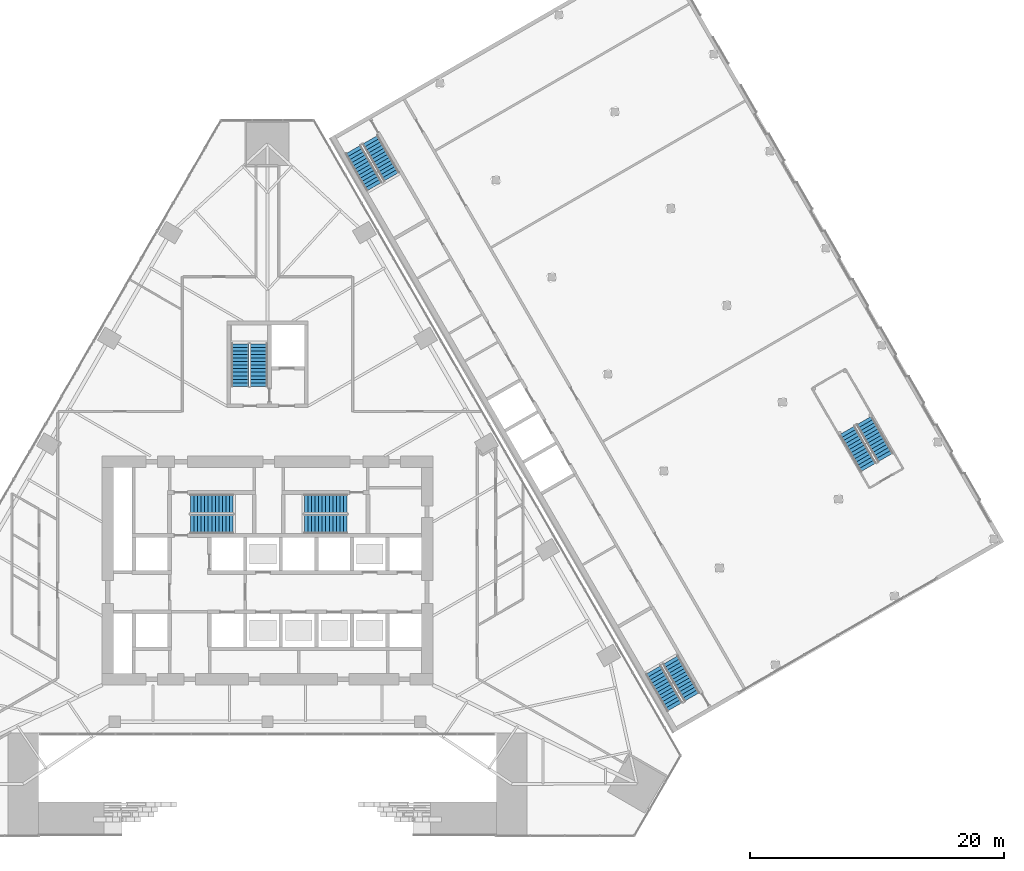
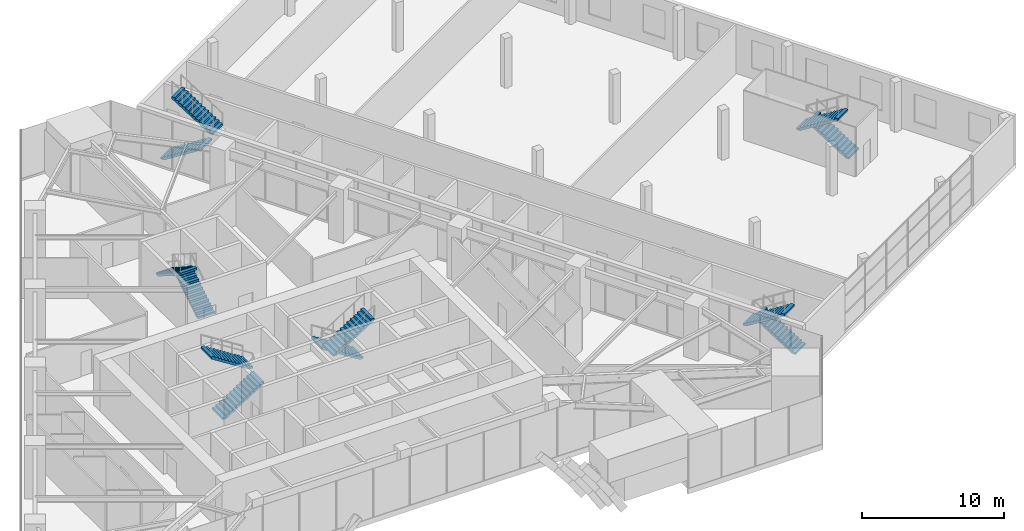
# One storey, part 22 of 29: 12 stair flights, 6 elements without a shape of their own.
"""IFC4 building model written with IfcOpenShell, lengths in metres."""

import ifcopenshell
import ifcopenshell.guid

model = None  # the IFC model being written
_history = None  # IfcOwnerHistory: only IFC2X3 demands one
_inside = {}  # id of a spatial element -> (the spatial element, [elements in it])
_under = {}  # id of a project, library or spatial element -> (it, [spatial elements below it])
_declared = {}  # id of a project -> (the project, [libraries it declares])
_typed = {}  # id of a type object -> (the type object, [elements of that type])
_made_of = {}  # id of a material, layer set ... -> (it, [elements and type objects made of it])


def new_model(schema):
    """Start an empty IFC model of exactly this schema.

    Asked for "IFC4X3", IfcOpenShell would pick the latest addendum, in which some entities
    have other attributes; the version numbers below select the first issue.
    IFC2X3 requires an IfcOwnerHistory on every rooted entity: one is made here for all.
    """
    global model, _history
    if schema == "IFC4X3":
        model = ifcopenshell.file(schema_version=(4, 3, 0, 0))
    else:
        model = ifcopenshell.file(schema=schema)
    _inside.clear()
    _under.clear()
    _declared.clear()
    _typed.clear()
    _made_of.clear()
    _history = None
    if model.schema == "IFC2X3":
        org = make("IfcOrganization", Name="unknown")
        user = make(
            "IfcPersonAndOrganization",
            ThePerson=make("IfcPerson", FamilyName="unknown"),
            TheOrganization=org,
        )
        app = make(
            "IfcApplication",
            ApplicationDeveloper=org,
            Version="unknown",
            ApplicationFullName="unknown",
            ApplicationIdentifier="unknown",
        )
        _history = make(
            "IfcOwnerHistory",
            OwningUser=user,
            OwningApplication=app,
            ChangeAction="ADDED",
            CreationDate=0,
        )
    return model


def make(cls, **values):
    """One entity of the class cls with the attributes given. An attribute that is None is left unset."""
    return model.create_entity(
        cls, **{name: value for name, value in values.items() if value is not None}
    )


def rooted(cls, **values):
    """An entity with a GlobalId (a new one), such as an element, a storey or a relation."""
    return make(cls, GlobalId=ifcopenshell.guid.new(), OwnerHistory=_history, **values)


def si_unit(unit_type, name, prefix=None):
    """IfcSIUnit, for example si_unit("LENGTHUNIT", "METRE", prefix="MILLI")."""
    return make("IfcSIUnit", UnitType=unit_type, Prefix=prefix, Name=name)


def assignment(units):
    """IfcUnitAssignment: the units of a project."""
    return None if units is None else make("IfcUnitAssignment", Units=units)


def point(xyz):
    """IfcCartesianPoint."""
    return None if xyz is None else make("IfcCartesianPoint", Coordinates=xyz)


def direction(xyz):
    """IfcDirection."""
    return None if xyz is None else make("IfcDirection", DirectionRatios=xyz)


def frame(location, z_axis=None, x_axis=None):
    """IfcAxis2Placement3D, a coordinate frame: its origin and axes. An axis left out is left unset."""
    return make(
        "IfcAxis2Placement3D",
        Location=point(location),
        Axis=direction(z_axis),
        RefDirection=direction(x_axis),
    )


def origin():
    """The frame at (0, 0, 0) with its axes left unset."""
    return frame((0.0, 0.0, 0.0))


def place(relative_to, where):
    """IfcLocalPlacement: puts the frame where relative to a parent placement (None: the world)."""
    return make(
        "IfcLocalPlacement", PlacementRelTo=relative_to, RelativePlacement=where
    )


def context(
    kind, dimensions, precision=None, world=None, true_north=None, identifier=None
):
    """IfcGeometricRepresentationContext, for example the 3D "Model" context."""
    return make(
        "IfcGeometricRepresentationContext",
        ContextIdentifier=identifier,
        ContextType=kind,
        CoordinateSpaceDimension=dimensions,
        Precision=precision,
        WorldCoordinateSystem=world,
        TrueNorth=true_north,
    )


def subcontext(parent, identifier, kind, view, scale=None):
    """IfcGeometricRepresentationSubContext, for example "Body" below "Model"."""
    return make(
        "IfcGeometricRepresentationSubContext",
        ContextIdentifier=identifier,
        ContextType=kind,
        ParentContext=parent,
        TargetScale=scale,
        TargetView=view,
    )


def project(units=None, contexts=None):
    """IfcProject with its units and contexts."""
    return rooted(
        "IfcProject",
        Name="project",
        RepresentationContexts=contexts,
        UnitsInContext=assignment(units),
    )


def spatial(cls, under=None, at=None, **own):
    """A site, building, storey or space (cls), placed at a placement, below another one or the project."""
    s = rooted(cls, ObjectPlacement=at, **own)
    if under is not None:
        _under.setdefault(under.id(), (under, []))[1].append(s)
    return s


def polyline(points):
    """IfcPolyline through the points."""
    return make("IfcPolyline", Points=[point(p) for p in points])


def outline(outer, holes=None, kind="AREA"):
    """IfcArbitraryClosedProfileDef: a profile drawn as a closed curve; with holes, ...WithVoids."""
    if holes is None:
        return make("IfcArbitraryClosedProfileDef", ProfileType=kind, OuterCurve=outer)
    return make(
        "IfcArbitraryProfileDefWithVoids",
        ProfileType=kind,
        OuterCurve=outer,
        InnerCurves=holes,
    )


def extrude(swept, where, along, depth):
    """IfcExtrudedAreaSolid: the profile swept, set in the frame where, extruded along a direction by depth."""
    return make(
        "IfcExtrudedAreaSolid",
        SweptArea=swept,
        Position=where,
        ExtrudedDirection=direction(along),
        Depth=depth,
    )


def shape(context_of_items, identifier, shape_type, items):
    """IfcShapeRepresentation: the items that make up one representation, for example the "Body"."""
    return make(
        "IfcShapeRepresentation",
        ContextOfItems=context_of_items,
        RepresentationIdentifier=identifier,
        RepresentationType=shape_type,
        Items=items,
    )


def material(Name=None, Category=None):
    """IfcMaterial."""
    return make("IfcMaterial", Name=Name, Category=Category)


def made_of(thing, what):
    """Note that an element or type object is made of a material, layer set ...; save() writes the relation."""
    if what is not None:
        _made_of.setdefault(what.id(), (what, []))[1].append(thing)
    return thing


def type_object(cls, material=None, **own):
    """A type object (cls), such as IfcWallType, which elements share."""
    return made_of(rooted(cls, **own), material)


def element(
    cls,
    number,
    at=None,
    inside=None,
    cuts=None,
    type_object=None,
    material=None,
    context=None,
    identifier="Body",
    shape_type=None,
    held_by="IfcProductDefinitionShape",
    body=None,
    shapes=None,
    **own,
):
    """One element of the class cls, such as IfcWall. Its Tag is "e" and its number.

    at: its placement. inside: the storey or other place that contains it. cuts: it is an
    opening in that element (IfcRelVoidsElement). A single representation is given by context,
    identifier, shape_type and body (its items); several are given by shapes. held_by: the class
    of the entity that holds the representations. save() writes the other relations.
    """
    e = rooted(cls, Tag="e%d" % number, ObjectPlacement=at, **own)
    if body is not None:
        shapes = [shape(context, identifier, shape_type, body)]
    if shapes is not None:
        e.Representation = make(held_by, Representations=shapes)
    if inside is not None:
        _inside.setdefault(inside.id(), (inside, []))[1].append(e)
    if cuts is not None:
        rooted(
            "IfcRelVoidsElement", RelatingBuildingElement=cuts, RelatedOpeningElement=e
        )
    if type_object is not None:
        _typed.setdefault(type_object.id(), (type_object, []))[1].append(e)
    return made_of(e, material)


def aggregate(whole, parts):
    """IfcRelAggregates: a whole, such as a stair, and the parts it consists of."""
    return rooted("IfcRelAggregates", RelatingObject=whole, RelatedObjects=parts)


def save(model, path):
    """Write the relations noted so far, then the file.

    IfcRelAggregates (storeys below a building ...), IfcRelContainedInSpatialStructure (elements
    in a storey), IfcRelDefinesByType, IfcRelAssociatesMaterial and IfcRelDeclares: one each for
    every whole, place, type object, material and project.
    """
    for whole, parts in _under.values():
        aggregate(whole, parts)
    for where, things in _inside.values():
        rooted(
            "IfcRelContainedInSpatialStructure",
            RelatedElements=things,
            RelatingStructure=where,
        )
    for kind, things in _typed.values():
        rooted("IfcRelDefinesByType", RelatedObjects=things, RelatingType=kind)
    for what, things in _made_of.values():
        rooted("IfcRelAssociatesMaterial", RelatedObjects=things, RelatingMaterial=what)
    for by, libraries in _declared.values():
        rooted("IfcRelDeclares", RelatingContext=by, RelatedDefinitions=libraries)
    model.write(path)


model = new_model("IFC4")

# Units and contexts
model_context = context("Model", 3, precision=1e-05, world=origin(), true_north=direction((0.0, 1.0)))
body_context = subcontext(model_context, "Body", "Model", "MODEL_VIEW")
ifc_project = project(units=[si_unit("LENGTHUNIT", "METRE"), si_unit("AREAUNIT", "SQUARE_METRE"), si_unit("VOLUMEUNIT", "CUBIC_METRE"), si_unit("PLANEANGLEUNIT", "RADIAN"), si_unit("MASSUNIT", "GRAM", prefix="KILO")], contexts=[model_context])

# Site, building, storey
site_placement = place(None, origin())
site = spatial("IfcSite", under=ifc_project, at=site_placement, CompositionType="ELEMENT")
building_placement = place(site_placement, origin())
building = spatial("IfcBuilding", under=site, at=building_placement, Name="Firuza Gate Tower and Library", CompositionType="ELEMENT")
storey_placement = place(building_placement, frame((0.0, 0.0, 17.199951171875)))
storey = spatial("IfcBuildingStorey", under=building, at=storey_placement, Name="L03", CompositionType="ELEMENT", Elevation=17.199951171875)

# Stair, stair flights
ifc_material_1 = material(Name="Concrete C40/50", Category="concrete")
stair_type_1 = type_object("IfcStairType", Name="LIB STAIR", PredefinedType="HALF_TURN_STAIR", material=ifc_material_1)
placement = place(storey_placement, origin())
stair_1 = element("IfcStair", 1, at=placement, inside=storey, type_object=stair_type_1, Name="L03 Exit stair A", PredefinedType="HALF_TURN_STAIR")
ifc_material_2 = material(Name="Concrete C40/50", Category="concrete")
stair_flight_type_1 = type_object("IfcStairFlightType", Name="LIB STAIR FLIGHT", PredefinedType="STRAIGHT", material=ifc_material_2)
stair_flight_1_placement = place(storey_placement, frame((81.735595703125, 108.102783203125, 0.0), z_axis=(0.0, 0.0, 1.0), x_axis=(0.5, -0.866025403784, 0.0)))
stair_flight_1 = element("IfcStairFlight", 2, at=stair_flight_1_placement, type_object=stair_flight_type_1, Name="LIB-ST-A flight 1", NumberOfRisers=13, NumberOfTreads=12, PredefinedType="STRAIGHT", RiserHeight=0.176923077, TreadLength=0.28, context=body_context, shape_type="SweptSolid", body=[
    extrude(outline(polyline([(0.0, 0.0), (0.0, 0.177001953125), (0.280029296875, 0.177001953125), (0.280029296875, 0.353759765625), (0.56005859375, 0.353759765625), (0.56005859375, 0.53076171875), (0.840087890625, 0.53076171875), (0.840087890625, 0.707763671875), (1.1201171875, 0.707763671875), (1.1201171875, 0.884521484375), (1.39990234375, 0.884521484375), (1.39990234375, 1.0615234375), (1.679931640625, 1.0615234375), (1.679931640625, 1.238525390625), (1.9599609375, 1.238525390625), (1.9599609375, 1.415283203125), (2.239990234375, 1.415283203125), (2.239990234375, 1.59228515625), (2.52001953125, 1.59228515625), (2.52001953125, 1.769287109375), (2.800048828125, 1.769287109375), (2.800048828125, 1.946044921875), (3.080078125, 1.946044921875), (3.080078125, 2.123046875), (3.360107421875, 2.123046875), (3.360107421875, 2.300048828125), (3.360107421875, 1.94580078125), (0.280517578125, 0.0), (0.0, 0.0)])), frame((0.0, 0.699951171875, 0.0), z_axis=(0.0, -1.0, 0.0), x_axis=(1.0, 0.0, 0.0)), (0.0, 0.0, 1.0), 1.39990234375),
])
stair_flight_2_placement = place(storey_placement, frame((84.758056640625, 105.968017578125, 2.300048828125), z_axis=(0.0, 0.0, 1.0), x_axis=(-0.5, 0.866025403784, 0.0)))
stair_flight_2 = element("IfcStairFlight", 3, at=stair_flight_2_placement, type_object=stair_flight_type_1, Name="LIB-ST-A flight 2", NumberOfRisers=13, NumberOfTreads=12, PredefinedType="STRAIGHT", RiserHeight=0.176923077, TreadLength=0.28, context=body_context, shape_type="SweptSolid", body=[
    extrude(outline(polyline([(0.0, 0.0), (0.0, 0.177001953125), (0.280029296875, 0.177001953125), (0.280029296875, 0.353759765625), (0.56005859375, 0.353759765625), (0.56005859375, 0.53076171875), (0.840087890625, 0.53076171875), (0.840087890625, 0.707763671875), (1.1201171875, 0.707763671875), (1.1201171875, 0.884521484375), (1.39990234375, 0.884521484375), (1.39990234375, 1.0615234375), (1.679931640625, 1.0615234375), (1.679931640625, 1.238525390625), (1.9599609375, 1.238525390625), (1.9599609375, 1.415283203125), (2.239990234375, 1.415283203125), (2.239990234375, 1.59228515625), (2.52001953125, 1.59228515625), (2.52001953125, 1.769287109375), (2.800048828125, 1.769287109375), (2.800048828125, 1.946044921875), (3.080078125, 1.946044921875), (3.080078125, 2.123046875), (3.360107421875, 2.123046875), (3.360107421875, 2.300048828125), (3.360107421875, 1.94580078125), (0.280517578125, 0.0), (0.0, 0.0)])), frame((0.0, 0.699951171875, 0.0), z_axis=(0.0, -1.0, 0.0), x_axis=(1.0, 0.0, 0.0)), (0.0, 0.0, 1.0), 1.39990234375),
])
aggregate(stair_1, [stair_flight_1, stair_flight_2])

stair_2 = element("IfcStair", 4, at=placement, inside=storey, type_object=stair_type_1, Name="L03 Exit stair B", PredefinedType="HALF_TURN_STAIR")
stair_flight_3_placement = place(storey_placement, frame((108.3779296875, 65.056884765625, 0.0), z_axis=(0.0, 0.0, 1.0), x_axis=(-0.5, 0.866025403784, 0.0)))
stair_flight_3 = element("IfcStairFlight", 5, at=stair_flight_3_placement, type_object=stair_flight_type_1, Name="LIB-ST-B flight 1", NumberOfRisers=13, NumberOfTreads=12, PredefinedType="STRAIGHT", RiserHeight=0.176923077, TreadLength=0.28, context=body_context, shape_type="SweptSolid", body=[
    extrude(outline(polyline([(0.0, 0.0), (0.0, 0.177001953125), (0.280029296875, 0.177001953125), (0.280029296875, 0.353759765625), (0.56005859375, 0.353759765625), (0.56005859375, 0.53076171875), (0.840087890625, 0.53076171875), (0.840087890625, 0.707763671875), (1.1201171875, 0.707763671875), (1.1201171875, 0.884521484375), (1.39990234375, 0.884521484375), (1.39990234375, 1.0615234375), (1.679931640625, 1.0615234375), (1.679931640625, 1.238525390625), (1.9599609375, 1.238525390625), (1.9599609375, 1.415283203125), (2.239990234375, 1.415283203125), (2.239990234375, 1.59228515625), (2.52001953125, 1.59228515625), (2.52001953125, 1.769287109375), (2.800048828125, 1.769287109375), (2.800048828125, 1.946044921875), (3.080078125, 1.946044921875), (3.080078125, 2.123046875), (3.360107421875, 2.123046875), (3.360107421875, 2.300048828125), (3.360107421875, 1.94580078125), (0.280517578125, 0.0), (0.0, 0.0)])), frame((0.0, 0.699951171875, 0.0), z_axis=(0.0, -1.0, 0.0), x_axis=(1.0, 0.0, 0.0)), (0.0, 0.0, 1.0), 1.39990234375),
])
stair_flight_4_placement = place(storey_placement, frame((105.355712890625, 67.191650390625, 2.300048828125), z_axis=(0.0, 0.0, 1.0), x_axis=(0.5, -0.866025403784, 0.0)))
stair_flight_4 = element("IfcStairFlight", 6, at=stair_flight_4_placement, type_object=stair_flight_type_1, Name="LIB-ST-B flight 2", NumberOfRisers=13, NumberOfTreads=12, PredefinedType="STRAIGHT", RiserHeight=0.176923077, TreadLength=0.28, context=body_context, shape_type="SweptSolid", body=[
    extrude(outline(polyline([(0.0, 0.0), (0.0, 0.177001953125), (0.280029296875, 0.177001953125), (0.280029296875, 0.353759765625), (0.56005859375, 0.353759765625), (0.56005859375, 0.53076171875), (0.840087890625, 0.53076171875), (0.840087890625, 0.707763671875), (1.1201171875, 0.707763671875), (1.1201171875, 0.884521484375), (1.39990234375, 0.884521484375), (1.39990234375, 1.0615234375), (1.679931640625, 1.0615234375), (1.679931640625, 1.238525390625), (1.9599609375, 1.238525390625), (1.9599609375, 1.415283203125), (2.239990234375, 1.415283203125), (2.239990234375, 1.59228515625), (2.52001953125, 1.59228515625), (2.52001953125, 1.769287109375), (2.800048828125, 1.769287109375), (2.800048828125, 1.946044921875), (3.080078125, 1.946044921875), (3.080078125, 2.123046875), (3.360107421875, 2.123046875), (3.360107421875, 2.300048828125), (3.360107421875, 1.94580078125), (0.280517578125, 0.0), (0.0, 0.0)])), frame((0.0, 0.699951171875, 0.0), z_axis=(0.0, -1.0, 0.0), x_axis=(1.0, 0.0, 0.0)), (0.0, 0.0, 1.0), 1.39990234375),
])
aggregate(stair_2, [stair_flight_3, stair_flight_4])

stair_3 = element("IfcStair", 7, at=placement, inside=storey, type_object=stair_type_1, Name="L03 Feature stair", PredefinedType="HALF_TURN_STAIR")
stair_flight_5_placement = place(storey_placement, frame((123.60009765625, 83.891357421875, 0.0), z_axis=(0.0, 0.0, 1.0), x_axis=(-0.5, 0.866025403784, 0.0)))
stair_flight_5 = element("IfcStairFlight", 8, at=stair_flight_5_placement, type_object=stair_flight_type_1, Name="LIB-ST-C flight 1", NumberOfRisers=13, NumberOfTreads=12, PredefinedType="STRAIGHT", RiserHeight=0.176923077, TreadLength=0.28, context=body_context, shape_type="SweptSolid", body=[
    extrude(outline(polyline([(0.0, 0.0), (0.0, 0.177001953125), (0.280029296875, 0.177001953125), (0.280029296875, 0.353759765625), (0.56005859375, 0.353759765625), (0.56005859375, 0.53076171875), (0.840087890625, 0.53076171875), (0.840087890625, 0.707763671875), (1.1201171875, 0.707763671875), (1.1201171875, 0.884521484375), (1.39990234375, 0.884521484375), (1.39990234375, 1.0615234375), (1.679931640625, 1.0615234375), (1.679931640625, 1.238525390625), (1.9599609375, 1.238525390625), (1.9599609375, 1.415283203125), (2.239990234375, 1.415283203125), (2.239990234375, 1.59228515625), (2.52001953125, 1.59228515625), (2.52001953125, 1.769287109375), (2.800048828125, 1.769287109375), (2.800048828125, 1.946044921875), (3.080078125, 1.946044921875), (3.080078125, 2.123046875), (3.360107421875, 2.123046875), (3.360107421875, 2.300048828125), (3.360107421875, 1.94580078125), (0.280517578125, 0.0), (0.0, 0.0)])), frame((0.0, 0.699951171875, 0.0), z_axis=(0.0, -1.0, 0.0), x_axis=(1.0, 0.0, 0.0)), (0.0, 0.0, 1.0), 1.39990234375),
])
stair_flight_6_placement = place(storey_placement, frame((120.577880859375, 86.026123046875, 2.300048828125), z_axis=(0.0, 0.0, 1.0), x_axis=(0.5, -0.866025403784, 0.0)))
stair_flight_6 = element("IfcStairFlight", 9, at=stair_flight_6_placement, type_object=stair_flight_type_1, Name="LIB-ST-C flight 2", NumberOfRisers=13, NumberOfTreads=12, PredefinedType="STRAIGHT", RiserHeight=0.176923077, TreadLength=0.28, context=body_context, shape_type="SweptSolid", body=[
    extrude(outline(polyline([(0.0, 0.0), (0.0, 0.177001953125), (0.280029296875, 0.177001953125), (0.280029296875, 0.353759765625), (0.56005859375, 0.353759765625), (0.56005859375, 0.53076171875), (0.840087890625, 0.53076171875), (0.840087890625, 0.707763671875), (1.1201171875, 0.707763671875), (1.1201171875, 0.884521484375), (1.39990234375, 0.884521484375), (1.39990234375, 1.0615234375), (1.679931640625, 1.0615234375), (1.679931640625, 1.238525390625), (1.9599609375, 1.238525390625), (1.9599609375, 1.415283203125), (2.239990234375, 1.415283203125), (2.239990234375, 1.59228515625), (2.52001953125, 1.59228515625), (2.52001953125, 1.769287109375), (2.800048828125, 1.769287109375), (2.800048828125, 1.946044921875), (3.080078125, 1.946044921875), (3.080078125, 2.123046875), (3.360107421875, 2.123046875), (3.360107421875, 2.300048828125), (3.360107421875, 1.94580078125), (0.280517578125, 0.0), (0.0, 0.0)])), frame((0.0, 0.699951171875, 0.0), z_axis=(0.0, -1.0, 0.0), x_axis=(1.0, 0.0, 0.0)), (0.0, 0.0, 1.0), 1.39990234375),
])
aggregate(stair_3, [stair_flight_5, stair_flight_6])

ifc_material_3 = material(Name="Concrete C35/45", Category="concrete")
stair_type_2 = type_object("IfcStairType", Name="Exit stair ST13", PredefinedType="HALF_TURN_STAIR", material=ifc_material_3)
stair_4 = element("IfcStair", 10, at=placement, inside=storey, type_object=stair_type_2, Name="L03 Stair ST3", PredefinedType="HALF_TURN_STAIR")
ifc_material_4 = material(Name="Concrete C35/45", Category="concrete")
stair_flight_type_2 = type_object("IfcStairFlightType", Name="Stair flight 13 risers 176.9 width 1370", PredefinedType="STRAIGHT", material=ifc_material_4)
stair_flight_7_placement = place(storey_placement, frame((74.31494140625, 89.469970703125, 0.0), z_axis=(0.0, 0.0, 1.0), x_axis=(0.0, 1.0, 0.0)))
stair_flight_7 = element("IfcStairFlight", 11, at=stair_flight_7_placement, type_object=stair_flight_type_2, Name="ST3 flight 1", NumberOfRisers=13, NumberOfTreads=12, PredefinedType="STRAIGHT", RiserHeight=0.176923077, TreadLength=0.28, context=body_context, shape_type="SweptSolid", body=[
    extrude(outline(polyline([(0.0, 0.0), (0.0, 0.177001953125), (0.280029296875, 0.177001953125), (0.280029296875, 0.353759765625), (0.56005859375, 0.353759765625), (0.56005859375, 0.53076171875), (0.840087890625, 0.53076171875), (0.840087890625, 0.707763671875), (1.1201171875, 0.707763671875), (1.1201171875, 0.884521484375), (1.39990234375, 0.884521484375), (1.39990234375, 1.0615234375), (1.679931640625, 1.0615234375), (1.679931640625, 1.238525390625), (1.9599609375, 1.238525390625), (1.9599609375, 1.415283203125), (2.239990234375, 1.415283203125), (2.239990234375, 1.59228515625), (2.52001953125, 1.59228515625), (2.52001953125, 1.769287109375), (2.800048828125, 1.769287109375), (2.800048828125, 1.946044921875), (3.080078125, 1.946044921875), (3.080078125, 2.123046875), (3.360107421875, 2.123046875), (3.360107421875, 2.300048828125), (3.360107421875, 1.94580078125), (0.280517578125, 0.0), (0.0, 0.0)])), frame((0.0, 0.68505859375, 0.0), z_axis=(0.0, -1.0, 0.0), x_axis=(1.0, 0.0, 0.0)), (0.0, 0.0, 1.0), 1.3701171875),
])
stair_flight_8_placement = place(storey_placement, frame((72.844970703125, 92.830078125, 2.300048828125), z_axis=(0.0, 0.0, 1.0), x_axis=(0.0, -1.0, 0.0)))
stair_flight_8 = element("IfcStairFlight", 12, at=stair_flight_8_placement, type_object=stair_flight_type_2, Name="ST3 flight 2", NumberOfRisers=13, NumberOfTreads=12, PredefinedType="STRAIGHT", RiserHeight=0.176923077, TreadLength=0.28, context=body_context, shape_type="SweptSolid", body=[
    extrude(outline(polyline([(0.0, 0.0), (0.0, 0.177001953125), (0.280029296875, 0.177001953125), (0.280029296875, 0.353759765625), (0.56005859375, 0.353759765625), (0.56005859375, 0.53076171875), (0.840087890625, 0.53076171875), (0.840087890625, 0.707763671875), (1.1201171875, 0.707763671875), (1.1201171875, 0.884521484375), (1.39990234375, 0.884521484375), (1.39990234375, 1.0615234375), (1.679931640625, 1.0615234375), (1.679931640625, 1.238525390625), (1.9599609375, 1.238525390625), (1.9599609375, 1.415283203125), (2.239990234375, 1.415283203125), (2.239990234375, 1.59228515625), (2.52001953125, 1.59228515625), (2.52001953125, 1.769287109375), (2.800048828125, 1.769287109375), (2.800048828125, 1.946044921875), (3.080078125, 1.946044921875), (3.080078125, 2.123046875), (3.360107421875, 2.123046875), (3.360107421875, 2.300048828125), (3.360107421875, 1.94580078125), (0.280517578125, 0.0), (0.0, 0.0)])), frame((0.0, 0.68505859375, 0.0), z_axis=(0.0, -1.0, 0.0), x_axis=(1.0, 0.0, 0.0)), (0.0, 0.0, 1.0), 1.3701171875),
])
aggregate(stair_4, [stair_flight_7, stair_flight_8])

ifc_material_5 = material(Name="Concrete C35/45", Category="concrete")
stair_type_3 = type_object("IfcStairType", Name="Exit stair ST4", PredefinedType="HALF_TURN_STAIR", material=ifc_material_5)
stair_5 = element("IfcStair", 13, at=placement, inside=storey, type_object=stair_type_3, Name="L03 Stair ST1", PredefinedType="HALF_TURN_STAIR")
ifc_material_6 = material(Name="Concrete C35/45", Category="concrete")
stair_flight_type_3 = type_object("IfcStairFlightType", Name="Stair flight 13 risers 176.9 width 1490", PredefinedType="STRAIGHT", material=ifc_material_6)
stair_flight_9_placement = place(storey_placement, frame((68.93994140625, 78.64501953125, 0.0), z_axis=(0.0, 0.0, 1.0), x_axis=(1.0, 0.0, 0.0)))
stair_flight_9 = element("IfcStairFlight", 14, at=stair_flight_9_placement, type_object=stair_flight_type_3, Name="ST1 flight 1", NumberOfRisers=13, NumberOfTreads=12, PredefinedType="STRAIGHT", RiserHeight=0.176923077, TreadLength=0.28, context=body_context, shape_type="SweptSolid", body=[
    extrude(outline(polyline([(0.0, 0.0), (0.0, 0.177001953125), (0.280029296875, 0.177001953125), (0.280029296875, 0.353759765625), (0.56005859375, 0.353759765625), (0.56005859375, 0.53076171875), (0.840087890625, 0.53076171875), (0.840087890625, 0.707763671875), (1.1201171875, 0.707763671875), (1.1201171875, 0.884521484375), (1.39990234375, 0.884521484375), (1.39990234375, 1.0615234375), (1.679931640625, 1.0615234375), (1.679931640625, 1.238525390625), (1.9599609375, 1.238525390625), (1.9599609375, 1.415283203125), (2.239990234375, 1.415283203125), (2.239990234375, 1.59228515625), (2.52001953125, 1.59228515625), (2.52001953125, 1.769287109375), (2.800048828125, 1.769287109375), (2.800048828125, 1.946044921875), (3.080078125, 1.946044921875), (3.080078125, 2.123046875), (3.360107421875, 2.123046875), (3.360107421875, 2.300048828125), (3.360107421875, 1.94580078125), (0.280517578125, 0.0), (0.0, 0.0)])), frame((0.0, 0.7451171875, 0.0), z_axis=(0.0, -1.0, 0.0), x_axis=(1.0, 0.0, 0.0)), (0.0, 0.0, 1.0), 1.489990234375),
])
stair_flight_10_placement = place(storey_placement, frame((72.300048828125, 80.235107421875, 2.300048828125), z_axis=(0.0, 0.0, 1.0), x_axis=(-1.0, 0.0, 0.0)))
stair_flight_10 = element("IfcStairFlight", 15, at=stair_flight_10_placement, type_object=stair_flight_type_3, Name="ST1 flight 2", NumberOfRisers=13, NumberOfTreads=12, PredefinedType="STRAIGHT", RiserHeight=0.176923077, TreadLength=0.28, context=body_context, shape_type="SweptSolid", body=[
    extrude(outline(polyline([(0.0, 0.0), (0.0, 0.177001953125), (0.280029296875, 0.177001953125), (0.280029296875, 0.353759765625), (0.56005859375, 0.353759765625), (0.56005859375, 0.53076171875), (0.840087890625, 0.53076171875), (0.840087890625, 0.707763671875), (1.1201171875, 0.707763671875), (1.1201171875, 0.884521484375), (1.39990234375, 0.884521484375), (1.39990234375, 1.0615234375), (1.679931640625, 1.0615234375), (1.679931640625, 1.238525390625), (1.9599609375, 1.238525390625), (1.9599609375, 1.415283203125), (2.239990234375, 1.415283203125), (2.239990234375, 1.59228515625), (2.52001953125, 1.59228515625), (2.52001953125, 1.769287109375), (2.800048828125, 1.769287109375), (2.800048828125, 1.946044921875), (3.080078125, 1.946044921875), (3.080078125, 2.123046875), (3.360107421875, 2.123046875), (3.360107421875, 2.300048828125), (3.360107421875, 1.94580078125), (0.280517578125, 0.0), (0.0, 0.0)])), frame((0.0, 0.7451171875, 0.0), z_axis=(0.0, -1.0, 0.0), x_axis=(1.0, 0.0, 0.0)), (0.0, 0.0, 1.0), 1.489990234375),
])
aggregate(stair_5, [stair_flight_9, stair_flight_10])

stair_6 = element("IfcStair", 16, at=placement, inside=storey, type_object=stair_type_3, Name="L03 Stair ST2", PredefinedType="HALF_TURN_STAIR")
stair_flight_11_placement = place(storey_placement, frame((81.260009765625, 80.235107421875, 0.0), z_axis=(0.0, 0.0, 1.0), x_axis=(-1.0, 0.0, 0.0)))
stair_flight_11 = element("IfcStairFlight", 17, at=stair_flight_11_placement, type_object=stair_flight_type_3, Name="ST2 flight 1", NumberOfRisers=13, NumberOfTreads=12, PredefinedType="STRAIGHT", RiserHeight=0.176923077, TreadLength=0.28, context=body_context, shape_type="SweptSolid", body=[
    extrude(outline(polyline([(0.0, 0.0), (0.0, 0.177001953125), (0.280029296875, 0.177001953125), (0.280029296875, 0.353759765625), (0.56005859375, 0.353759765625), (0.56005859375, 0.53076171875), (0.840087890625, 0.53076171875), (0.840087890625, 0.707763671875), (1.1201171875, 0.707763671875), (1.1201171875, 0.884521484375), (1.39990234375, 0.884521484375), (1.39990234375, 1.0615234375), (1.679931640625, 1.0615234375), (1.679931640625, 1.238525390625), (1.9599609375, 1.238525390625), (1.9599609375, 1.415283203125), (2.239990234375, 1.415283203125), (2.239990234375, 1.59228515625), (2.52001953125, 1.59228515625), (2.52001953125, 1.769287109375), (2.800048828125, 1.769287109375), (2.800048828125, 1.946044921875), (3.080078125, 1.946044921875), (3.080078125, 2.123046875), (3.360107421875, 2.123046875), (3.360107421875, 2.300048828125), (3.360107421875, 1.94580078125), (0.280517578125, 0.0), (0.0, 0.0)])), frame((0.0, 0.7451171875, 0.0), z_axis=(0.0, -1.0, 0.0), x_axis=(1.0, 0.0, 0.0)), (0.0, 0.0, 1.0), 1.489990234375),
])
stair_flight_12_placement = place(storey_placement, frame((77.89990234375, 78.64501953125, 2.300048828125), z_axis=(0.0, 0.0, 1.0), x_axis=(1.0, 0.0, 0.0)))
stair_flight_12 = element("IfcStairFlight", 18, at=stair_flight_12_placement, type_object=stair_flight_type_3, Name="ST2 flight 2", NumberOfRisers=13, NumberOfTreads=12, PredefinedType="STRAIGHT", RiserHeight=0.176923077, TreadLength=0.28, context=body_context, shape_type="SweptSolid", body=[
    extrude(outline(polyline([(0.0, 0.0), (0.0, 0.177001953125), (0.280029296875, 0.177001953125), (0.280029296875, 0.353759765625), (0.56005859375, 0.353759765625), (0.56005859375, 0.53076171875), (0.840087890625, 0.53076171875), (0.840087890625, 0.707763671875), (1.1201171875, 0.707763671875), (1.1201171875, 0.884521484375), (1.39990234375, 0.884521484375), (1.39990234375, 1.0615234375), (1.679931640625, 1.0615234375), (1.679931640625, 1.238525390625), (1.9599609375, 1.238525390625), (1.9599609375, 1.415283203125), (2.239990234375, 1.415283203125), (2.239990234375, 1.59228515625), (2.52001953125, 1.59228515625), (2.52001953125, 1.769287109375), (2.800048828125, 1.769287109375), (2.800048828125, 1.946044921875), (3.080078125, 1.946044921875), (3.080078125, 2.123046875), (3.360107421875, 2.123046875), (3.360107421875, 2.300048828125), (3.360107421875, 1.94580078125), (0.280517578125, 0.0), (0.0, 0.0)])), frame((0.0, 0.7451171875, 0.0), z_axis=(0.0, -1.0, 0.0), x_axis=(1.0, 0.0, 0.0)), (0.0, 0.0, 1.0), 1.489990234375),
])
aggregate(stair_6, [stair_flight_11, stair_flight_12])

save(model, "model.ifc")
